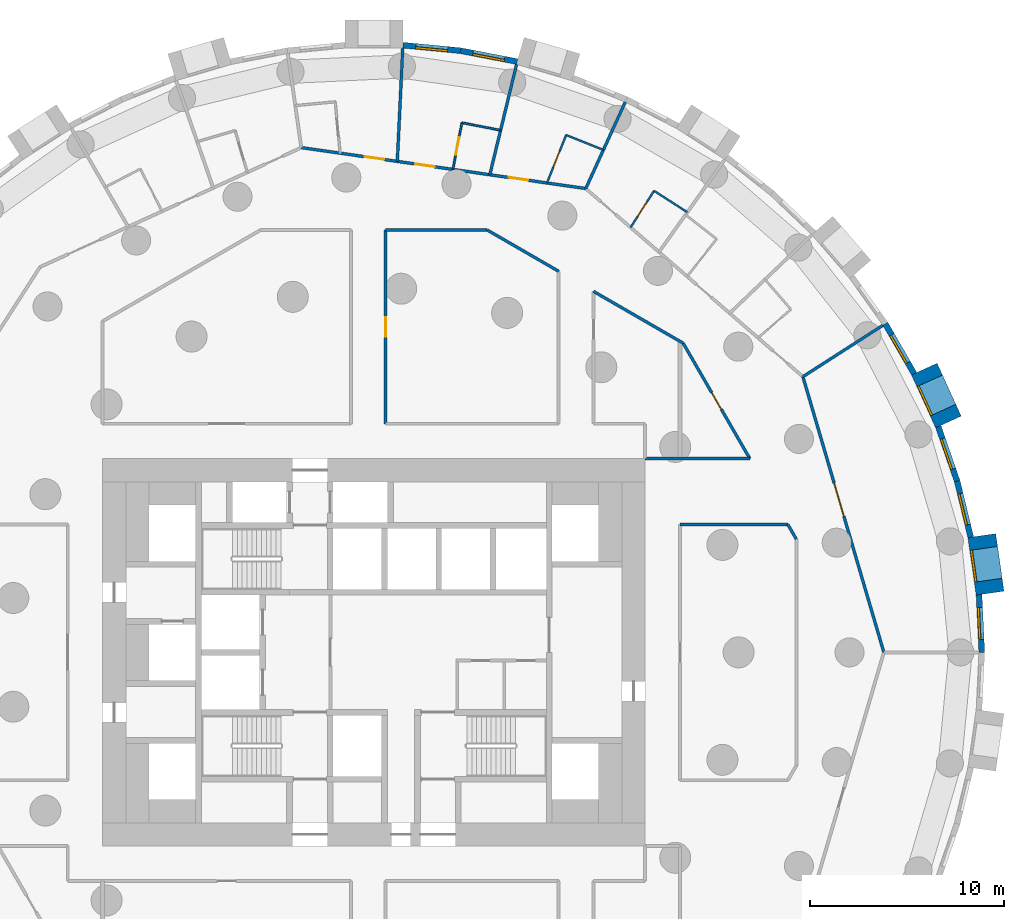
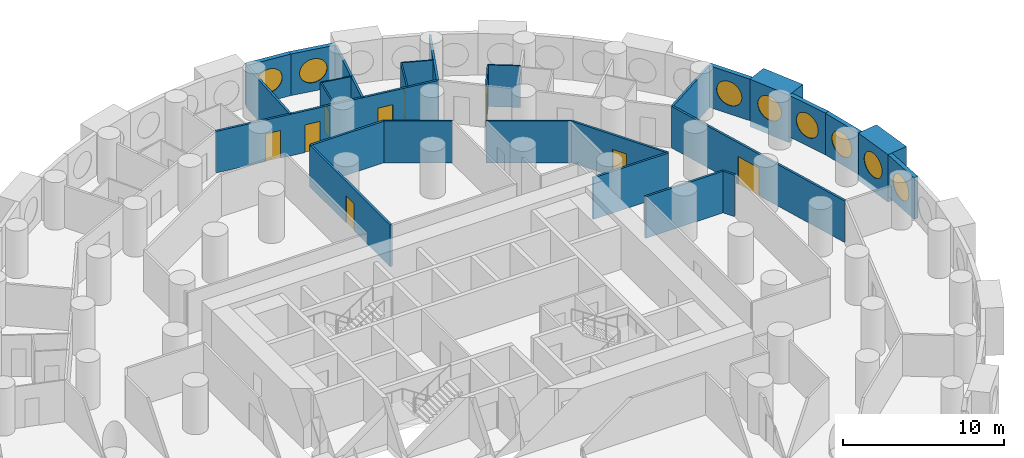
# One storey, part 9 of 12: 28 walls, 9 doors, 8 windows, 17 openings.
"""IFC4 building model written with IfcOpenShell, lengths in metres."""

from ifc_helpers import new_model, si_unit, direction, frame, frame_2d, origin, origin_2d, place, context, subcontext, project, spatial, rectangle, circle, extrude, material, layer, layer_set, type_object, element, fill, save


model = new_model("IFC4")

# Units and contexts
model_context = context("Model", 3, precision=1e-05, world=origin(), true_north=direction((0.0, 1.0)))
body_context = subcontext(model_context, "Body", "Model", "MODEL_VIEW")
ifc_project = project(units=[si_unit("LENGTHUNIT", "METRE"), si_unit("AREAUNIT", "SQUARE_METRE"), si_unit("VOLUMEUNIT", "CUBIC_METRE"), si_unit("PLANEANGLEUNIT", "RADIAN"), si_unit("MASSUNIT", "GRAM", prefix="KILO")], contexts=[model_context])

# Site, building, storey
site_placement = place(None, origin())
site = spatial("IfcSite", under=ifc_project, at=site_placement, CompositionType="ELEMENT")
building_placement = place(site_placement, origin())
building = spatial("IfcBuilding", under=site, at=building_placement, Name="Tracery Tower", CompositionType="ELEMENT")
storey_placement = place(building_placement, frame((0.0, 0.0, 53.39990234375)))
storey = spatial("IfcBuildingStorey", under=building, at=storey_placement, Name="L12", CompositionType="ELEMENT", Elevation=53.39990234375)

# Wall, opening, window
ifc_material_1 = material(Name="Precast concrete C50/60", Category="concrete")
ifc_layer_1 = layer(ifc_material_1, 1.449951171875)
ifc_layer_set_1 = layer_set([ifc_layer_1], Name="Deep-set bay unit 3000 x 3600, slab edge 450")
wall_type_1 = type_object("IfcWallType", Name="Deep-set bay unit 3000 x 3600, slab edge 450", PredefinedType="ELEMENTEDWALL", material=ifc_layer_set_1)
wall_1_placement = place(storey_placement, frame((31.802490234375, 3.05712890625, -0.449951171875), z_axis=(0.0, 0.0, 1.0), x_axis=(-0.142332746704, 0.989818866872, 0.0)))
wall_1 = element("IfcWall", 1, at=wall_1_placement, inside=storey, type_object=wall_type_1, Name="Deep-set bay unit 2 at L12", PredefinedType="ELEMENTEDWALL", context=body_context, shape_type="SweptSolid", body=[
    extrude(rectangle(XDim=3.0, YDim=1.449951171875, at=frame_2d((1.5, 0.0))), origin(), (0.0, 0.0, 1.0), 3.60009765625),
])
opening_1_placement = place(wall_1_placement, frame((1.5, 0.0, 2.0)))
opening_1 = element("IfcOpeningElement", 2, at=opening_1_placement, cuts=wall_1, Name="Opening WN1", PredefinedType="OPENING", context=body_context, shape_type="SweptSolid", body=[
    extrude(circle(Radius=0.9000244140625, at=origin_2d()), frame((0.0, 0.73486328125, 0.0), z_axis=(0.0, -1.0, 0.0), x_axis=(1.0, 0.0, 0.0)), (0.0, 0.0, 1.0), 1.469970703125),
])
ifc_material_2 = material(Name="Aluminium frame with tinted double glazing", Category="aluminium")
window_type = type_object("IfcWindowType", Name="Round window 1800", PartitioningType="SINGLE_PANEL", PredefinedType="WINDOW", material=ifc_material_2)
window_1_placement = place(opening_1_placement, origin())
window_1 = element("IfcWindow", 3, at=window_1_placement, inside=storey, type_object=window_type, Name="Round window 2 at L12", OverallHeight=1.800048828125, OverallWidth=1.800048828125, PartitioningType="SINGLE_PANEL", PredefinedType="WINDOW", context=body_context, shape_type="SweptSolid", body=[
    extrude(circle(Radius=0.9000244140625, at=origin_2d()), frame((0.0, 0.69482421875, 0.0), z_axis=(0.0, -1.0, 0.0), x_axis=(1.0, 0.0, 0.0)), (0.0, 0.0, 1.0), 0.10009765625),
])
fill(opening_1, window_1)

wall_2_placement = place(storey_placement, frame((29.653076171875, 11.89306640625, -0.449951171875), z_axis=(0.0, 0.0, 1.0), x_axis=(-0.415427028395, 0.909626508012, 0.0)))
wall_2 = element("IfcWall", 4, at=wall_2_placement, inside=storey, type_object=wall_type_1, Name="Deep-set bay unit 5 at L12", PredefinedType="ELEMENTEDWALL", context=body_context, shape_type="SweptSolid", body=[
    extrude(rectangle(XDim=3.000244140625, YDim=1.449951171875, at=frame_2d((1.5, 0.0))), origin(), (0.0, 0.0, 1.0), 3.60009765625),
])
opening_2_placement = place(wall_2_placement, frame((1.5, 0.0, 2.0)))
opening_2 = element("IfcOpeningElement", 5, at=opening_2_placement, cuts=wall_2, Name="Opening WN1", PredefinedType="OPENING", context=body_context, shape_type="SweptSolid", body=[
    extrude(circle(Radius=0.9000244140625, at=origin_2d()), frame((0.0, 0.73486328125, 0.0), z_axis=(0.0, -1.0, 0.0), x_axis=(1.0, 0.0, 0.0)), (0.0, 0.0, 1.0), 1.469970703125),
])
window_2_placement = place(opening_2_placement, origin())
window_2 = element("IfcWindow", 6, at=window_2_placement, inside=storey, type_object=window_type, Name="Round window 5 at L12", OverallHeight=1.800048828125, OverallWidth=1.800048828125, PartitioningType="SINGLE_PANEL", PredefinedType="WINDOW", context=body_context, shape_type="SweptSolid", body=[
    extrude(circle(Radius=0.9000244140625, at=origin_2d()), frame((0.0, 0.69482421875, 0.0), z_axis=(0.0, -1.0, 0.0), x_axis=(1.0, 0.0, 0.0)), (0.0, 0.0, 1.0), 0.10009765625),
])
fill(opening_2, window_2)

ifc_material_3 = material(Name="Precast concrete C50/60", Category="concrete")
ifc_layer_2 = layer(ifc_material_3, 0.300048828125)
ifc_layer_set_2 = layer_set([ifc_layer_2], Name="Facade panel 3000 x 3150")
wall_type_2 = type_object("IfcWallType", Name="Facade panel 3000 x 3150", PredefinedType="SOLIDWALL", material=ifc_layer_set_2)
wall_3_placement = place(storey_placement, frame((31.37451171875, 0.0, 0.0), z_axis=(0.0, 0.0, 1.0), x_axis=(-0.047604077644, 0.998866283239, 0.0)))
wall_3 = element("IfcWall", 7, at=wall_3_placement, inside=storey, type_object=wall_type_2, Name="Facade panel 1 at L12", PredefinedType="SOLIDWALL", context=body_context, shape_type="SweptSolid", body=[
    extrude(rectangle(XDim=2.979736328125, YDim=0.300048828125, at=frame_2d((1.48974609375, 0.0))), origin(), (0.0, 0.0, 1.0), 3.150146484375),
])
opening_3_placement = place(wall_3_placement, frame((1.48974609375, 0.0, 1.5498046875)))
opening_3 = element("IfcOpeningElement", 8, at=opening_3_placement, cuts=wall_3, Name="Opening WN1", PredefinedType="OPENING", context=body_context, shape_type="SweptSolid", body=[
    extrude(circle(Radius=0.9000244140625, at=origin_2d()), frame((0.0, 0.159912109375, 0.0), z_axis=(0.0, -1.0, 0.0), x_axis=(1.0, 0.0, 0.0)), (0.0, 0.0, 1.0), 0.320068359375),
])
window_3_placement = place(opening_3_placement, origin())
window_3 = element("IfcWindow", 9, at=window_3_placement, inside=storey, type_object=window_type, Name="Round window 1 at L12", OverallHeight=1.800048828125, OverallWidth=1.800048828125, PartitioningType="SINGLE_PANEL", PredefinedType="WINDOW", context=body_context, shape_type="SweptSolid", body=[
    extrude(circle(Radius=0.9000244140625, at=origin_2d()), frame((0.0, 0.1201171875, 0.0), z_axis=(0.0, -1.0, 0.0), x_axis=(1.0, 0.0, 0.0)), (0.0, 0.0, 1.0), 0.10009765625),
])
fill(opening_3, window_3)

wall_4_placement = place(storey_placement, frame((30.805908203125, 5.943603515625, 0.0), z_axis=(0.0, 0.0, 1.0), x_axis=(-0.235743081534, 0.971815414319, 0.0)))
wall_4 = element("IfcWall", 10, at=wall_4_placement, inside=storey, type_object=wall_type_2, Name="Facade panel 3 at L12", PredefinedType="SOLIDWALL", context=body_context, shape_type="SweptSolid", body=[
    extrude(rectangle(XDim=2.9794921875, YDim=0.300048828125, at=frame_2d((1.48974609375, 0.0))), origin(), (0.0, 0.0, 1.0), 3.150146484375),
])
opening_4_placement = place(wall_4_placement, frame((1.48974609375, 0.0, 1.5498046875)))
opening_4 = element("IfcOpeningElement", 11, at=opening_4_placement, cuts=wall_4, Name="Opening WN1", PredefinedType="OPENING", context=body_context, shape_type="SweptSolid", body=[
    extrude(circle(Radius=0.9000244140625, at=origin_2d()), frame((0.0, 0.159912109375, 0.0), z_axis=(0.0, -1.0, 0.0), x_axis=(1.0, 0.0, 0.0)), (0.0, 0.0, 1.0), 0.320068359375),
])
window_4_placement = place(opening_4_placement, origin())
window_4 = element("IfcWindow", 12, at=window_4_placement, inside=storey, type_object=window_type, Name="Round window 3 at L12", OverallHeight=1.800048828125, OverallWidth=1.800048828125, PartitioningType="SINGLE_PANEL", PredefinedType="WINDOW", context=body_context, shape_type="SweptSolid", body=[
    extrude(circle(Radius=0.9000244140625, at=origin_2d()), frame((0.0, 0.1201171875, 0.0), z_axis=(0.0, -1.0, 0.0), x_axis=(1.0, 0.0, 0.0)), (0.0, 0.0, 1.0), 0.10009765625),
])
fill(opening_4, window_4)

wall_5_placement = place(storey_placement, frame((30.103515625, 8.839111328125, 0.0), z_axis=(0.0, 0.0, 1.0), x_axis=(-0.327071167136, 0.944999709856, 0.0)))
wall_5 = element("IfcWall", 13, at=wall_5_placement, inside=storey, type_object=wall_type_2, Name="Facade panel 4 at L12", PredefinedType="SOLIDWALL", context=body_context, shape_type="SweptSolid", body=[
    extrude(rectangle(XDim=2.979736328125, YDim=0.300048828125, at=frame_2d((1.48974609375, 0.0))), origin(), (0.0, 0.0, 1.0), 3.150146484375),
])
opening_5_placement = place(wall_5_placement, frame((1.48974609375, 0.0, 1.5498046875)))
opening_5 = element("IfcOpeningElement", 14, at=opening_5_placement, cuts=wall_5, Name="Opening WN1", PredefinedType="OPENING", context=body_context, shape_type="SweptSolid", body=[
    extrude(circle(Radius=0.9000244140625, at=origin_2d()), frame((0.0, 0.159912109375, 0.0), z_axis=(0.0, -1.0, 0.0), x_axis=(1.0, 0.0, 0.0)), (0.0, 0.0, 1.0), 0.320068359375),
])
window_5_placement = place(opening_5_placement, origin())
window_5 = element("IfcWindow", 15, at=window_5_placement, inside=storey, type_object=window_type, Name="Round window 4 at L12", OverallHeight=1.800048828125, OverallWidth=1.800048828125, PartitioningType="SINGLE_PANEL", PredefinedType="WINDOW", context=body_context, shape_type="SweptSolid", body=[
    extrude(circle(Radius=0.9000244140625, at=origin_2d()), frame((0.0, 0.1201171875, 0.0), z_axis=(0.0, -1.0, 0.0), x_axis=(1.0, 0.0, 0.0)), (0.0, 0.0, 1.0), 0.10009765625),
])
fill(opening_5, window_5)

wall_6_placement = place(storey_placement, frame((27.8837890625, 14.3818359375, 0.0), z_axis=(0.0, 0.0, 1.0), x_axis=(-0.500025049464, 0.866010940986, 0.0)))
wall_6 = element("IfcWall", 16, at=wall_6_placement, inside=storey, type_object=wall_type_2, Name="Facade panel 6 at L12", PredefinedType="SOLIDWALL", context=body_context, shape_type="SweptSolid", body=[
    extrude(rectangle(XDim=2.979736328125, YDim=0.300048828125, at=frame_2d((1.48974609375, 0.0))), origin(), (0.0, 0.0, 1.0), 3.150146484375),
])
opening_6_placement = place(wall_6_placement, frame((1.48974609375, 0.0, 1.5498046875)))
opening_6 = element("IfcOpeningElement", 17, at=opening_6_placement, cuts=wall_6, Name="Opening WN1", PredefinedType="OPENING", context=body_context, shape_type="SweptSolid", body=[
    extrude(circle(Radius=0.9000244140625, at=origin_2d()), frame((0.0, 0.159912109375, 0.0), z_axis=(0.0, -1.0, 0.0), x_axis=(1.0, 0.0, 0.0)), (0.0, 0.0, 1.0), 0.320068359375),
])
window_6_placement = place(opening_6_placement, origin())
window_6 = element("IfcWindow", 18, at=window_6_placement, inside=storey, type_object=window_type, Name="Round window 6 at L12", OverallHeight=1.800048828125, OverallWidth=1.800048828125, PartitioningType="SINGLE_PANEL", PredefinedType="WINDOW", context=body_context, shape_type="SweptSolid", body=[
    extrude(circle(Radius=0.9000244140625, at=origin_2d()), frame((0.0, 0.1201171875, 0.0), z_axis=(0.0, -1.0, 0.0), x_axis=(1.0, 0.0, 0.0)), (0.0, 0.0, 1.0), 0.10009765625),
])
fill(opening_6, window_6)

wall_7_placement = place(storey_placement, frame((7.390869140625, 30.4912109375, 0.0), z_axis=(0.0, 0.0, 1.0), x_axis=(-0.981924535406, 0.189272836848, 0.0)))
wall_7 = element("IfcWall", 19, at=wall_7_placement, inside=storey, type_object=wall_type_2, Name="Facade panel 15 at L12", PredefinedType="SOLIDWALL", context=body_context, shape_type="SweptSolid", body=[
    extrude(rectangle(XDim=2.979736328125, YDim=0.300048828125, at=frame_2d((1.48974609375, 0.0))), origin(), (0.0, 0.0, 1.0), 3.150146484375),
])
opening_7_placement = place(wall_7_placement, frame((1.48974609375, 0.0, 1.5498046875)))
opening_7 = element("IfcOpeningElement", 20, at=opening_7_placement, cuts=wall_7, Name="Opening WN1", PredefinedType="OPENING", context=body_context, shape_type="SweptSolid", body=[
    extrude(circle(Radius=0.9000244140625, at=origin_2d()), frame((0.0, 0.159912109375, 0.0), z_axis=(0.0, -1.0, 0.0), x_axis=(1.0, 0.0, 0.0)), (0.0, 0.0, 1.0), 0.320068359375),
])
window_7_placement = place(opening_7_placement, origin())
window_7 = element("IfcWindow", 21, at=window_7_placement, inside=storey, type_object=window_type, Name="Round window 15 at L12", OverallHeight=1.800048828125, OverallWidth=1.800048828125, PartitioningType="SINGLE_PANEL", PredefinedType="WINDOW", context=body_context, shape_type="SweptSolid", body=[
    extrude(circle(Radius=0.9000244140625, at=origin_2d()), frame((0.0, 0.1201171875, 0.0), z_axis=(0.0, -1.0, 0.0), x_axis=(1.0, 0.0, 0.0)), (0.0, 0.0, 1.0), 0.10009765625),
])
fill(opening_7, window_7)

wall_8_placement = place(storey_placement, frame((4.465087890625, 31.05517578125, 0.0), z_axis=(0.0, 0.0, 1.0), x_axis=(-0.995473351551, 0.095041077185, 0.0)))
wall_8 = element("IfcWall", 22, at=wall_8_placement, inside=storey, type_object=wall_type_2, Name="Facade panel 16 at L12", PredefinedType="SOLIDWALL", context=body_context, shape_type="SweptSolid", body=[
    extrude(rectangle(XDim=2.979736328125, YDim=0.300048828125, at=frame_2d((1.48974609375, 0.0))), origin(), (0.0, 0.0, 1.0), 3.150146484375),
])
opening_8_placement = place(wall_8_placement, frame((1.48974609375, 0.0, 1.5498046875)))
opening_8 = element("IfcOpeningElement", 23, at=opening_8_placement, cuts=wall_8, Name="Opening WN1", PredefinedType="OPENING", context=body_context, shape_type="SweptSolid", body=[
    extrude(circle(Radius=0.9000244140625, at=origin_2d()), frame((0.0, 0.159912109375, 0.0), z_axis=(0.0, -1.0, 0.0), x_axis=(1.0, 0.0, 0.0)), (0.0, 0.0, 1.0), 0.320068359375),
])
window_8_placement = place(opening_8_placement, origin())
window_8 = element("IfcWindow", 24, at=window_8_placement, inside=storey, type_object=window_type, Name="Round window 16 at L12", OverallHeight=1.800048828125, OverallWidth=1.800048828125, PartitioningType="SINGLE_PANEL", PredefinedType="WINDOW", context=body_context, shape_type="SweptSolid", body=[
    extrude(circle(Radius=0.9000244140625, at=origin_2d()), frame((0.0, 0.1201171875, 0.0), z_axis=(0.0, -1.0, 0.0), x_axis=(1.0, 0.0, 0.0)), (0.0, 0.0, 1.0), 0.10009765625),
])
fill(opening_8, window_8)

# Wall
ifc_material_4 = material(Name="Plasterboard on steel studs", Category="steel")
ifc_layer_3 = layer(ifc_material_4, 0.10009765625)
ifc_layer_set_3 = layer_set([ifc_layer_3], Name="Partition 100 wet wall")
wall_type_3 = type_object("IfcWallType", Name="Partition 100 wet wall", PredefinedType="PARTITIONING", material=ifc_layer_set_3)
wall_9_placement = place(storey_placement, frame((14.4599609375, 23.821044921875, 0.0), z_axis=(0.0, 0.0, 1.0), x_axis=(0.841135728185, -0.540824081168, 0.0)))
element("IfcWall", 25, at=wall_9_placement, inside=storey, type_object=wall_type_3, Name="Wet wall RA3-068", PredefinedType="PARTITIONING", context=body_context, shape_type="SweptSolid", body=[
    extrude(rectangle(XDim=2.041259765625, YDim=0.10009765625, at=frame_2d((1.0205078125, 0.0))), origin(), (0.0, 0.0, 1.0), 3.150146484375),
])

# Wall, opening, door
wall_10_placement = place(storey_placement, frame((13.248046875, 21.93505859375, 0.0), z_axis=(0.0, 0.0, 1.0), x_axis=(0.540597960994, 0.841281073464, 0.0)))
wall_10 = element("IfcWall", 26, at=wall_10_placement, inside=storey, type_object=wall_type_3, Name="Wet wall RA3-069", PredefinedType="PARTITIONING", context=body_context, shape_type="SweptSolid", body=[
    extrude(rectangle(XDim=2.24169921875, YDim=0.10009765625, at=frame_2d((1.120849609375, 0.0))), origin(), (0.0, 0.0, 1.0), 3.150146484375),
])
opening_9_placement = place(wall_10_placement, frame((0.6708984375, 0.0, 0.0)))
opening_9 = element("IfcOpeningElement", 27, at=opening_9_placement, cuts=wall_10, Name="Opening RA3-16", PredefinedType="OPENING", context=body_context, shape_type="SweptSolid", body=[
    extrude(rectangle(XDim=0.89990234375, YDim=2.0400390625, at=frame_2d((0.449951171875, 1.02001953125))), frame((0.0, 0.050048828125, 0.0), z_axis=(0.0, -1.0, 0.0), x_axis=(1.0, 0.0, 0.0)), (0.0, 0.0, 1.0), 0.10009765625),
])
ifc_material_5 = material(Name="Timber door leaf", Category="wood")
door_type_1 = type_object("IfcDoorType", Name="Door en-suite 900", OperationType="NOTDEFINED", PredefinedType="DOOR", material=ifc_material_5)
door_1_placement = place(opening_9_placement, origin())
door_1 = element("IfcDoor", 28, at=door_1_placement, inside=storey, type_object=door_type_1, Name="En-suite door RA3-16", OperationType="SINGLE_SWING_RIGHT", OverallHeight=2.0400390625, OverallWidth=0.89990234375, PredefinedType="DOOR", context=body_context, shape_type="SweptSolid", body=[
    extrude(rectangle(XDim=0.89990234375, YDim=2.0400390625, at=frame_2d((0.449951171875, 1.02001953125))), frame((0.0, 0.02490234375, 0.0), z_axis=(0.0, -1.0, 0.0), x_axis=(1.0, 0.0, 0.0)), (0.0, 0.0, 1.0), 0.050048828125),
])
fill(opening_9, door_1)

# Wall
wall_11_placement = place(storey_placement, frame((9.9208984375, 26.7041015625, 0.0), z_axis=(0.0, 0.0, 1.0), x_axis=(0.928346586681, -0.37171577179, 0.0)))
element("IfcWall", 29, at=wall_11_placement, inside=storey, type_object=wall_type_3, Name="Wet wall RA3-071", PredefinedType="PARTITIONING", context=body_context, shape_type="SweptSolid", body=[
    extrude(rectangle(XDim=2.071533203125, YDim=0.10009765625, at=frame_2d((1.03564453125, 0.0))), origin(), (0.0, 0.0, 1.0), 3.150146484375),
])

# Wall, opening, door
wall_12_placement = place(storey_placement, frame((8.929931640625, 24.22802734375, 0.0), z_axis=(0.0, 0.0, 1.0), x_axis=(0.371564281805, 0.928407229876, 0.0)))
wall_12 = element("IfcWall", 30, at=wall_12_placement, inside=storey, type_object=wall_type_3, Name="Wet wall RA3-072", PredefinedType="PARTITIONING", context=body_context, shape_type="SweptSolid", body=[
    extrude(rectangle(XDim=2.6669921875, YDim=0.10009765625, at=frame_2d((1.33349609375, 0.0))), origin(), (0.0, 0.0, 1.0), 3.150146484375),
])
opening_10_placement = place(wall_12_placement, frame((0.884033203125, 0.0, 0.0)))
opening_10 = element("IfcOpeningElement", 31, at=opening_10_placement, cuts=wall_12, Name="Opening RA3-18", PredefinedType="OPENING", context=body_context, shape_type="SweptSolid", body=[
    extrude(rectangle(XDim=0.89990234375, YDim=2.0400390625, at=frame_2d((0.449951171875, 1.02001953125))), frame((0.0, 0.050048828125, 0.0), z_axis=(0.0, -1.0, 0.0), x_axis=(1.0, 0.0, 0.0)), (0.0, 0.0, 1.0), 0.10009765625),
])
door_2_placement = place(opening_10_placement, origin())
door_2 = element("IfcDoor", 32, at=door_2_placement, inside=storey, type_object=door_type_1, Name="En-suite door RA3-18", OperationType="SINGLE_SWING_LEFT", OverallHeight=2.0400390625, OverallWidth=0.89990234375, PredefinedType="DOOR", context=body_context, shape_type="SweptSolid", body=[
    extrude(rectangle(XDim=0.89990234375, YDim=2.0400390625, at=frame_2d((0.449951171875, 1.02001953125))), frame((0.0, 0.02490234375, 0.0), z_axis=(0.0, -1.0, 0.0), x_axis=(1.0, 0.0, 0.0)), (0.0, 0.0, 1.0), 0.050048828125),
])
fill(opening_10, door_2)

# Wall
wall_13_placement = place(storey_placement, frame((4.541015625, 27.333984375, 0.0), z_axis=(0.0, 0.0, 1.0), x_axis=(0.981919009751, -0.189301501024, 0.0)))
element("IfcWall", 33, at=wall_13_placement, inside=storey, type_object=wall_type_3, Name="Wet wall RA3-074", PredefinedType="PARTITIONING", context=body_context, shape_type="SweptSolid", body=[
    extrude(rectangle(XDim=2.033935546875, YDim=0.10009765625, at=frame_2d((1.01708984375, 0.0))), origin(), (0.0, 0.0, 1.0), 3.150146484375),
])

# Wall, opening, door
wall_14_placement = place(storey_placement, frame((4.076904296875, 24.926025390625, 0.0), z_axis=(0.0, 0.0, 1.0), x_axis=(0.18925724964, 0.981927539821, 0.0)))
wall_14 = element("IfcWall", 34, at=wall_14_placement, inside=storey, type_object=wall_type_3, Name="Wet wall RA3-075", PredefinedType="PARTITIONING", context=body_context, shape_type="SweptSolid", body=[
    extrude(rectangle(XDim=2.452392578125, YDim=0.10009765625, at=frame_2d((1.22607421875, 0.0))), origin(), (0.0, 0.0, 1.0), 3.150146484375),
])
opening_11_placement = place(wall_14_placement, frame((0.7763671875, 0.0, 0.0)))
opening_11 = element("IfcOpeningElement", 35, at=opening_11_placement, cuts=wall_14, Name="Opening RA3-20", PredefinedType="OPENING", context=body_context, shape_type="SweptSolid", body=[
    extrude(rectangle(XDim=0.89990234375, YDim=2.0400390625, at=frame_2d((0.449951171875, 1.02001953125))), frame((0.0, 0.050048828125, 0.0), z_axis=(0.0, -1.0, 0.0), x_axis=(1.0, 0.0, 0.0)), (0.0, 0.0, 1.0), 0.10009765625),
])
door_3_placement = place(opening_11_placement, origin())
door_3 = element("IfcDoor", 36, at=door_3_placement, inside=storey, type_object=door_type_1, Name="En-suite door RA3-20", OperationType="SINGLE_SWING_LEFT", OverallHeight=2.0400390625, OverallWidth=0.89990234375, PredefinedType="DOOR", context=body_context, shape_type="SweptSolid", body=[
    extrude(rectangle(XDim=0.89990234375, YDim=2.0400390625, at=frame_2d((0.449951171875, 1.02001953125))), frame((0.0, 0.02490234375, 0.0), z_axis=(0.0, -1.0, 0.0), x_axis=(1.0, 0.0, 0.0)), (0.0, 0.0, 1.0), 0.050048828125),
])
fill(opening_11, door_3)

# Walls
ifc_material_6 = material(Name="Plasterboard on steel studs", Category="steel")
ifc_layer_4 = layer(ifc_material_6, 0.14990234375)
ifc_layer_set_4 = layer_set([ifc_layer_4], Name="Partition 150 acoustic unit wall")
wall_type_4 = type_object("IfcWallType", Name="Partition 150 acoustic unit wall", PredefinedType="PARTITIONING", material=ifc_layer_set_4)
wall_15_placement = place(storey_placement, frame((22.14111328125, 14.22900390625, 0.0), z_axis=(0.0, 0.0, 1.0), x_axis=(0.841325591791, 0.540528675093, 0.0)))
element("IfcWall", 37, at=wall_15_placement, inside=storey, type_object=wall_type_4, Name="Unit wall RA3-060", PredefinedType="PARTITIONING", context=body_context, shape_type="SweptSolid", body=[
    extrude(rectangle(XDim=4.905517578125, YDim=0.14990234375, at=frame_2d((2.45263671875, 0.0))), origin(), (0.0, 0.0, 1.0), 3.150146484375),
])
wall_16_placement = place(storey_placement, frame((10.93408203125, 23.939453125, 0.0), z_axis=(0.0, 0.0, 1.0), x_axis=(0.415144641481, 0.909755421336, 0.0)))
element("IfcWall", 38, at=wall_16_placement, inside=storey, type_object=wall_type_4, Name="Unit wall RA3-070", PredefinedType="PARTITIONING", context=body_context, shape_type="SweptSolid", body=[
    extrude(rectangle(XDim=4.906494140625, YDim=0.14990234375, at=frame_2d((2.453125, 0.0))), origin(), (0.0, 0.0, 1.0), 3.150146484375),
])
wall_17_placement = place(storey_placement, frame((5.9814453125, 24.65185546875, 0.0), z_axis=(0.0, 0.0, 1.0), x_axis=(0.235555883074, 0.971860805851, 0.0)))
element("IfcWall", 39, at=wall_17_placement, inside=storey, type_object=wall_type_4, Name="Unit wall RA3-073", PredefinedType="PARTITIONING", context=body_context, shape_type="SweptSolid", body=[
    extrude(rectangle(XDim=5.85693359375, YDim=0.14990234375, at=frame_2d((2.928466796875, 0.0))), origin(), (0.0, 0.0, 1.0), 3.150146484375),
])
wall_18_placement = place(storey_placement, frame((1.20703125, 25.339111328125, 0.0), z_axis=(0.0, 0.0, 1.0), x_axis=(0.04789788494, 0.99885223763, 0.0)))
element("IfcWall", 40, at=wall_18_placement, inside=storey, type_object=wall_type_4, Name="Unit wall RA3-076", PredefinedType="PARTITIONING", context=body_context, shape_type="SweptSolid", body=[
    extrude(rectangle(XDim=5.856689453125, YDim=0.14990234375, at=frame_2d((2.92822265625, 0.0))), origin(), (0.0, 0.0, 1.0), 3.150146484375),
])
ifc_material_7 = material(Name="Plasterboard on steel studs", Category="steel")
ifc_layer_5 = layer(ifc_material_7, 0.14990234375)
ifc_layer_set_5 = layer_set([ifc_layer_5], Name="Partition 150 corridor wall")
wall_type_5 = type_object("IfcWallType", Name="Partition 150 corridor wall", PredefinedType="PARTITIONING", material=ifc_layer_set_5)
wall_19_placement = place(storey_placement, frame((14.0, 10.0, 0.0), z_axis=(0.0, 0.0, 1.0), x_axis=(1.0, 0.0, 0.0)))
element("IfcWall", 41, at=wall_19_placement, inside=storey, type_object=wall_type_5, Name="Corridor wall RA3-010", PredefinedType="PARTITIONING", context=body_context, shape_type="SweptSolid", body=[
    extrude(rectangle(XDim=5.40087890625, YDim=0.14990234375, at=frame_2d((2.700439453125, 0.0))), origin(), (0.0, 0.0, 1.0), 3.150146484375),
])
wall_20_placement = place(storey_placement, frame((21.364013671875, 6.60009765625, 0.0), z_axis=(0.0, 0.0, 1.0), x_axis=(0.500277597875, -0.865865073245, 0.0)))
element("IfcWall", 42, at=wall_20_placement, inside=storey, type_object=wall_type_5, Name="Corridor wall RA3-018", PredefinedType="PARTITIONING", context=body_context, shape_type="SweptSolid", body=[
    extrude(rectangle(XDim=0.87548828125, YDim=0.14990234375, at=frame_2d((0.437744140625, 0.0))), origin(), (0.0, 0.0, 1.0), 3.150146484375),
])
wall_21_placement = place(storey_placement, frame((15.800048828125, 6.60009765625, 0.0), z_axis=(0.0, 0.0, 1.0), x_axis=(1.0, 0.0, 0.0)))
element("IfcWall", 43, at=wall_21_placement, inside=storey, type_object=wall_type_5, Name="Corridor wall RA3-019", PredefinedType="PARTITIONING", context=body_context, shape_type="SweptSolid", body=[
    extrude(rectangle(XDim=5.56396484375, YDim=0.14990234375, at=frame_2d((2.781982421875, 0.0))), origin(), (0.0, 0.0, 1.0), 3.150146484375),
])

# Wall, opening, door
wall_22_placement = place(storey_placement, frame((15.9599609375, 15.9599609375, 0.0), z_axis=(0.0, 0.0, 1.0), x_axis=(0.499992689227, -0.86602962462, 0.0)))
wall_22 = element("IfcWall", 44, at=wall_22_placement, inside=storey, type_object=wall_type_5, Name="Corridor wall RA3-020", PredefinedType="PARTITIONING", context=body_context, shape_type="SweptSolid", body=[
    extrude(rectangle(XDim=6.8818359375, YDim=0.14990234375, at=frame_2d((3.44091796875, 0.0))), origin(), (0.0, 0.0, 1.0), 3.150146484375),
])
opening_12_placement = place(wall_22_placement, frame((2.94091796875, 0.0, 0.0)))
opening_12 = element("IfcOpeningElement", 45, at=opening_12_placement, cuts=wall_22, Name="Opening RA3-09", PredefinedType="OPENING", context=body_context, shape_type="SweptSolid", body=[
    extrude(rectangle(XDim=1.0, YDim=2.0400390625, at=frame_2d((0.5, 1.02001953125))), frame((0.0, 0.074951171875, 0.0), z_axis=(0.0, -1.0, 0.0), x_axis=(1.0, 0.0, 0.0)), (0.0, 0.0, 1.0), 0.14990234375),
])
ifc_material_8 = material(Name="Timber door leaf", Category="wood")
door_type_2 = type_object("IfcDoorType", Name="Door communal room 1000", OperationType="NOTDEFINED", PredefinedType="DOOR", material=ifc_material_8)
door_4_placement = place(opening_12_placement, origin())
door_4 = element("IfcDoor", 46, at=door_4_placement, inside=storey, type_object=door_type_2, Name="Communal room door RA3-09", OperationType="SINGLE_SWING_LEFT", OverallHeight=2.0400390625, OverallWidth=1.0, PredefinedType="DOOR", context=body_context, shape_type="SweptSolid", body=[
    extrude(rectangle(XDim=1.0, YDim=2.0400390625, at=frame_2d((0.5, 1.02001953125))), frame((0.0, 0.02490234375, 0.0), z_axis=(0.0, -1.0, 0.0), x_axis=(1.0, 0.0, 0.0)), (0.0, 0.0, 1.0), 0.050048828125),
])
fill(opening_12, door_4)

wall_23_placement = place(storey_placement, frame((22.14111328125, 14.22900390625, 0.0), z_axis=(0.0, 0.0, 1.0), x_axis=(0.281730446162, -0.959493593363, 0.0)))
wall_23 = element("IfcWall", 47, at=wall_23_placement, inside=storey, type_object=wall_type_5, Name="Corridor wall RA3-021", PredefinedType="PARTITIONING", context=body_context, shape_type="SweptSolid", body=[
    extrude(rectangle(XDim=14.82958984375, YDim=0.14990234375, at=frame_2d((7.414794921875, 0.0))), origin(), (0.0, 0.0, 1.0), 3.150146484375),
])
opening_13_placement = place(wall_23_placement, frame((5.715087890625, 0.0, 0.0)))
opening_13 = element("IfcOpeningElement", 48, at=opening_13_placement, cuts=wall_23, Name="Opening RA3-11", PredefinedType="OPENING", context=body_context, shape_type="SweptSolid", body=[
    extrude(rectangle(XDim=1.800048828125, YDim=2.10009765625, at=frame_2d((0.89990234375, 1.050048828125))), frame((0.0, 0.074951171875, 0.0), z_axis=(0.0, -1.0, 0.0), x_axis=(1.0, 0.0, 0.0)), (0.0, 0.0, 1.0), 0.14990234375),
])
ifc_material_9 = material(Name="Timber door leaf", Category="wood")
door_type_3 = type_object("IfcDoorType", Name="Door double lounge 1800", OperationType="NOTDEFINED", PredefinedType="DOOR", material=ifc_material_9)
door_5_placement = place(opening_13_placement, origin())
door_5 = element("IfcDoor", 49, at=door_5_placement, inside=storey, type_object=door_type_3, Name="Double lounge door RA3-11", OperationType="DOUBLE_DOOR_SINGLE_SWING", OverallHeight=2.10009765625, OverallWidth=1.800048828125, PredefinedType="DOOR", context=body_context, shape_type="SweptSolid", body=[
    extrude(rectangle(XDim=1.800048828125, YDim=2.10009765625, at=frame_2d((0.89990234375, 1.050048828125))), frame((0.0, 0.02490234375, 0.0), z_axis=(0.0, -1.0, 0.0), x_axis=(1.0, 0.0, 0.0)), (0.0, 0.0, 1.0), 0.050048828125),
])
fill(opening_13, door_5)

# Walls
wall_24_placement = place(storey_placement, frame((5.842041015625, 21.802001953125, 0.0), z_axis=(0.0, 0.0, 1.0), x_axis=(0.865983505205, -0.500072563448, 0.0)))
element("IfcWall", 50, at=wall_24_placement, inside=storey, type_object=wall_type_5, Name="Corridor wall RA3-030", PredefinedType="PARTITIONING", context=body_context, shape_type="SweptSolid", body=[
    extrude(rectangle(XDim=4.265380859375, YDim=0.14990234375, at=frame_2d((2.1328125, 0.0))), origin(), (0.0, 0.0, 1.0), 3.150146484375),
])
wall_25_placement = place(storey_placement, frame((0.60791015625, 21.802001953125, 0.0), z_axis=(0.0, 0.0, 1.0), x_axis=(1.0, 0.0, 0.0)))
element("IfcWall", 51, at=wall_25_placement, inside=storey, type_object=wall_type_5, Name="Corridor wall RA3-031", PredefinedType="PARTITIONING", context=body_context, shape_type="SweptSolid", body=[
    extrude(rectangle(XDim=5.234130859375, YDim=0.14990234375, at=frame_2d((2.6171875, 0.0))), origin(), (0.0, 0.0, 1.0), 3.150146484375),
])

# Wall, opening, door
wall_26_placement = place(storey_placement, frame((0.60791015625, 11.800048828125, 0.0), z_axis=(0.0, 0.0, 1.0), x_axis=(0.0, 1.0, 0.0)))
wall_26 = element("IfcWall", 52, at=wall_26_placement, inside=storey, type_object=wall_type_5, Name="Corridor wall RA3-032", PredefinedType="PARTITIONING", context=body_context, shape_type="SweptSolid", body=[
    extrude(rectangle(XDim=10.001953125, YDim=0.14990234375, at=frame_2d((5.0009765625, 0.0))), origin(), (0.0, 0.0, 1.0), 3.150146484375),
])
opening_14_placement = place(wall_26_placement, frame((4.5009765625, 0.0, 0.0)))
opening_14 = element("IfcOpeningElement", 53, at=opening_14_placement, cuts=wall_26, Name="Opening RA3-02", PredefinedType="OPENING", context=body_context, shape_type="SweptSolid", body=[
    extrude(rectangle(XDim=1.0, YDim=2.0400390625, at=frame_2d((0.5, 1.02001953125))), frame((0.0, 0.074951171875, 0.0), z_axis=(0.0, -1.0, 0.0), x_axis=(1.0, 0.0, 0.0)), (0.0, 0.0, 1.0), 0.14990234375),
])
door_6_placement = place(opening_14_placement, origin())
door_6 = element("IfcDoor", 54, at=door_6_placement, inside=storey, type_object=door_type_2, Name="Communal room door RA3-02", OperationType="SINGLE_SWING_RIGHT", OverallHeight=2.0400390625, OverallWidth=1.0, PredefinedType="DOOR", context=body_context, shape_type="SweptSolid", body=[
    extrude(rectangle(XDim=1.0, YDim=2.0400390625, at=frame_2d((0.5, 1.02001953125))), frame((0.0, 0.02490234375, 0.0), z_axis=(0.0, -1.0, 0.0), x_axis=(1.0, 0.0, 0.0)), (0.0, 0.0, 1.0), 0.050048828125),
])
fill(opening_14, door_6)

# Wall
wall_27_placement = place(storey_placement, frame((11.3359375, 18.6298828125, 0.0), z_axis=(0.0, 0.0, 1.0), x_axis=(0.866056911224, -0.499945423543, 0.0)))
element("IfcWall", 55, at=wall_27_placement, inside=storey, type_object=wall_type_5, Name="Corridor wall RA3-033", PredefinedType="PARTITIONING", context=body_context, shape_type="SweptSolid", body=[
    extrude(rectangle(XDim=5.33935546875, YDim=0.14990234375, at=frame_2d((2.669677734375, 0.0))), origin(), (0.0, 0.0, 1.0), 3.150146484375),
])

# Wall, openings, doors
wall_28_placement = place(storey_placement, frame((-3.74560546875, 26.0537109375, 0.0), z_axis=(0.0, 0.0, 1.0), x_axis=(0.989780545379, -0.142598990138, 0.0)))
wall_28 = element("IfcWall", 56, at=wall_28_placement, inside=storey, type_object=wall_type_5, Name="Corridor wall RA3-035", PredefinedType="PARTITIONING", context=body_context, shape_type="SweptSolid", body=[
    extrude(rectangle(XDim=14.830078125, YDim=0.14990234375, at=frame_2d((7.4150390625, 0.0))), origin(), (0.0, 0.0, 1.0), 3.150146484375),
])
opening_15_placement = place(wall_28_placement, frame((10.81689453125, 0.0, 0.0)))
opening_15 = element("IfcOpeningElement", 57, at=opening_15_placement, cuts=wall_28, Name="Opening RA3-19", PredefinedType="OPENING", context=body_context, shape_type="SweptSolid", body=[
    extrude(rectangle(XDim=1.0, YDim=2.10009765625, at=frame_2d((0.5, 1.050048828125))), frame((0.0, 0.074951171875, 0.0), z_axis=(0.0, -1.0, 0.0), x_axis=(1.0, 0.0, 0.0)), (0.0, 0.0, 1.0), 0.14990234375),
])
opening_16_placement = place(wall_28_placement, frame((5.9541015625, 0.0, 0.0)))
opening_16 = element("IfcOpeningElement", 58, at=opening_16_placement, cuts=wall_28, Name="Opening RA3-21", PredefinedType="OPENING", context=body_context, shape_type="SweptSolid", body=[
    extrude(rectangle(XDim=1.0, YDim=2.10009765625, at=frame_2d((0.5, 1.050048828125))), frame((0.0, 0.074951171875, 0.0), z_axis=(0.0, -1.0, 0.0), x_axis=(1.0, 0.0, 0.0)), (0.0, 0.0, 1.0), 0.14990234375),
])
opening_17_placement = place(wall_28_placement, frame((3.313720703125, 0.0, 0.0)))
opening_17 = element("IfcOpeningElement", 59, at=opening_17_placement, cuts=wall_28, Name="Opening RA3-23", PredefinedType="OPENING", context=body_context, shape_type="SweptSolid", body=[
    extrude(rectangle(XDim=1.0, YDim=2.10009765625, at=frame_2d((0.5, 1.050048828125))), frame((0.0, 0.074951171875, 0.0), z_axis=(0.0, -1.0, 0.0), x_axis=(1.0, 0.0, 0.0)), (0.0, 0.0, 1.0), 0.14990234375),
])
ifc_material_10 = material(Name="Timber door leaf", Category="wood")
door_type_4 = type_object("IfcDoorType", Name="Door unit entrance 1000", OperationType="NOTDEFINED", PredefinedType="DOOR", material=ifc_material_10)
door_7_placement = place(opening_15_placement, origin())
door_7 = element("IfcDoor", 60, at=door_7_placement, inside=storey, type_object=door_type_4, Name="Unit entrance door RA3-19", OperationType="SINGLE_SWING_RIGHT", OverallHeight=2.10009765625, OverallWidth=1.0, PredefinedType="DOOR", context=body_context, shape_type="SweptSolid", body=[
    extrude(rectangle(XDim=1.0, YDim=2.10009765625, at=frame_2d((0.5, 1.050048828125))), frame((0.0, 0.02490234375, 0.0), z_axis=(0.0, -1.0, 0.0), x_axis=(1.0, 0.0, 0.0)), (0.0, 0.0, 1.0), 0.050048828125),
])
fill(opening_15, door_7)
door_8_placement = place(opening_16_placement, origin())
door_8 = element("IfcDoor", 61, at=door_8_placement, inside=storey, type_object=door_type_4, Name="Unit entrance door RA3-21", OperationType="SINGLE_SWING_RIGHT", OverallHeight=2.10009765625, OverallWidth=1.0, PredefinedType="DOOR", context=body_context, shape_type="SweptSolid", body=[
    extrude(rectangle(XDim=1.0, YDim=2.10009765625, at=frame_2d((0.5, 1.050048828125))), frame((0.0, 0.02490234375, 0.0), z_axis=(0.0, -1.0, 0.0), x_axis=(1.0, 0.0, 0.0)), (0.0, 0.0, 1.0), 0.050048828125),
])
fill(opening_16, door_8)
door_9_placement = place(opening_17_placement, origin())
door_9 = element("IfcDoor", 62, at=door_9_placement, inside=storey, type_object=door_type_4, Name="Unit entrance door RA3-23", OperationType="SINGLE_SWING_RIGHT", OverallHeight=2.10009765625, OverallWidth=1.0, PredefinedType="DOOR", context=body_context, shape_type="SweptSolid", body=[
    extrude(rectangle(XDim=1.0, YDim=2.10009765625, at=frame_2d((0.5, 1.050048828125))), frame((0.0, 0.02490234375, 0.0), z_axis=(0.0, -1.0, 0.0), x_axis=(1.0, 0.0, 0.0)), (0.0, 0.0, 1.0), 0.050048828125),
])
fill(opening_17, door_9)

save(model, "model.ifc")
